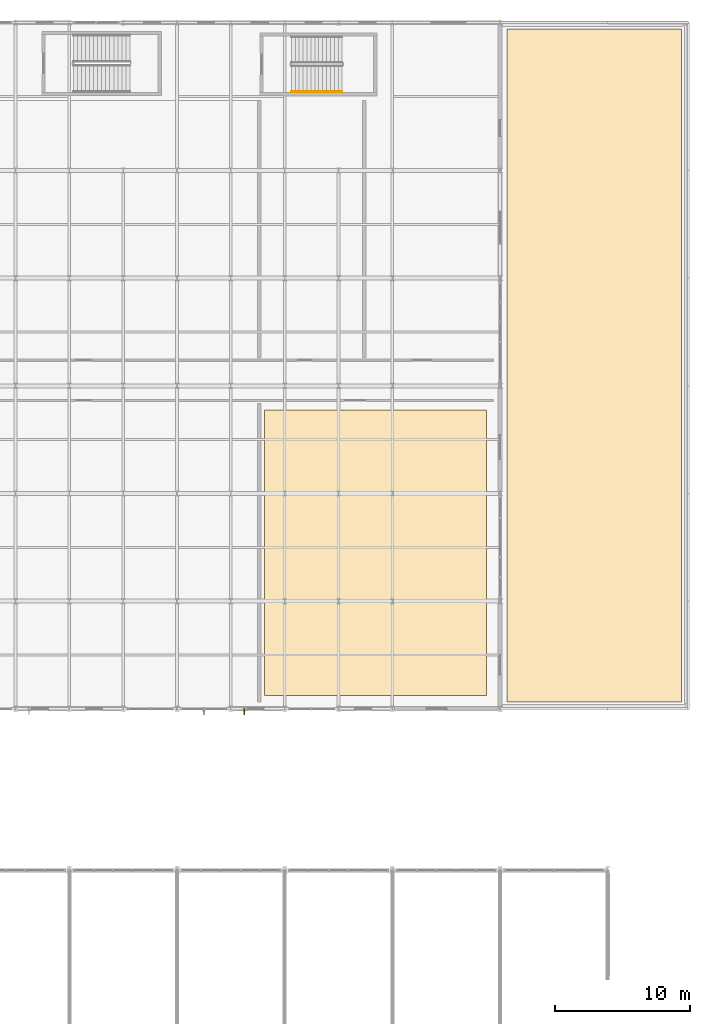
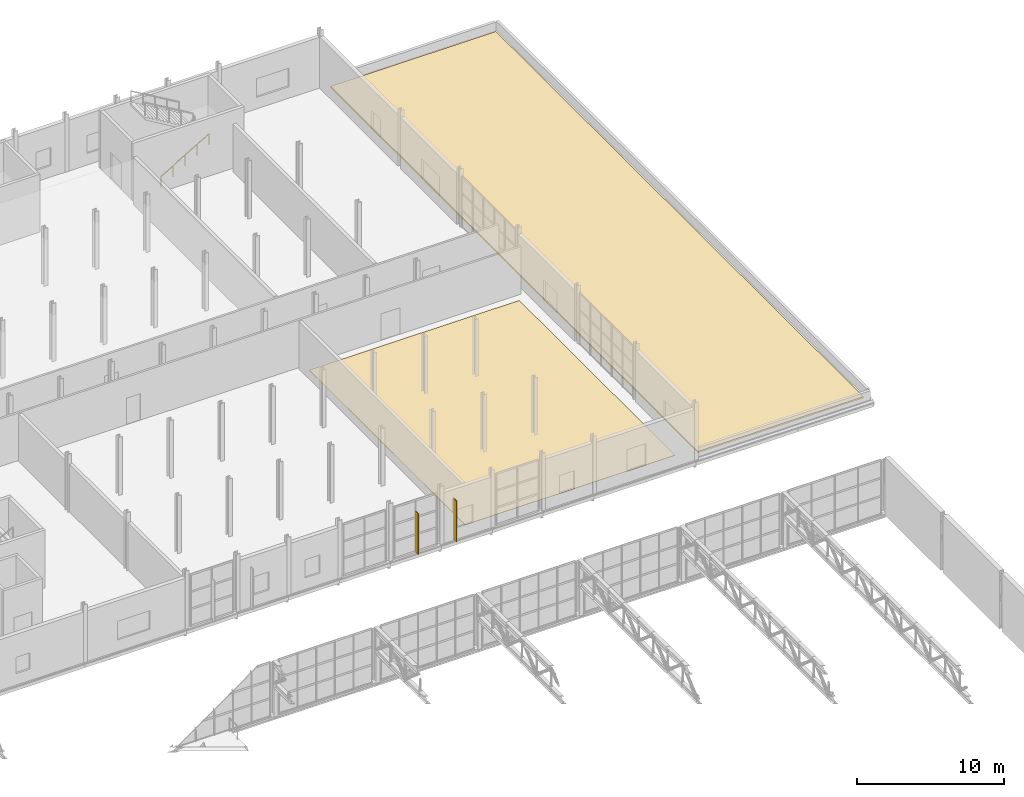
# One storey, part 142 of 143: 2 coverings, 2 shading devices, 1 railing.
"""IFC4 building model written with IfcOpenShell, lengths in metres."""

from ifc_helpers import new_model, si_unit, derived_unit, direction, frame, origin, origin_2d, place, context, subcontext, project, spatial, polyline, rectangle, circle, outline, extrude, material, layer, layer_set, type_object, element, save


model = new_model("IFC4")

# Units and contexts
model_context = context("Model", 3, precision=1e-05, world=origin(), true_north=direction((0.0, 1.0)))
body_context = subcontext(model_context, "Body", "Model", "MODEL_VIEW")
ifc_project = project(units=[si_unit("LENGTHUNIT", "METRE"), si_unit("AREAUNIT", "SQUARE_METRE"), si_unit("VOLUMEUNIT", "CUBIC_METRE"), si_unit("PLANEANGLEUNIT", "RADIAN"), si_unit("MASSUNIT", "GRAM", prefix="KILO"), derived_unit("THERMALTRANSMITTANCEUNIT", [(si_unit("POWERUNIT", "WATT"), 1), (si_unit("LENGTHUNIT", "METRE"), -2), (si_unit("THERMODYNAMICTEMPERATUREUNIT", "KELVIN"), -1)])], contexts=[model_context])

# Site, building, storey
site_placement = place(None, origin())
site = spatial("IfcSite", under=ifc_project, at=site_placement, CompositionType="ELEMENT")
building_placement = place(site_placement, origin())
building = spatial("IfcBuilding", under=site, at=building_placement, Name="Keldorne Ridge Multi-Sports Centre", CompositionType="ELEMENT")
storey_placement = place(building_placement, frame((0.0, 0.0, 4.800048828125)))
storey = spatial("IfcBuildingStorey", under=building, at=storey_placement, Name="L01", CompositionType="ELEMENT", Elevation=4.800048828125)

# Coverings
ifc_material_1 = material(Name="Recycled EPDM impact flooring")
ifc_layer_1 = layer(ifc_material_1, 0.02490234375)
ifc_layer_set_1 = layer_set([ifc_layer_1])
covering_type_1 = type_object("IfcCoveringType", Name="COV-FL-02", PredefinedType="FLOORING", material=ifc_layer_set_1)
covering_1_placement = place(storey_placement, origin())
element("IfcCovering", 1, at=covering_1_placement, inside=storey, type_object=covering_type_1, Name="Fitness Gymnasium impact flooring", PredefinedType="FLOORING", context=body_context, shape_type="SweptSolid", body=[
    extrude(outline(polyline([(142.5, 67.0), (159.0, 67.0), (159.0, 88.199951171875), (142.5, 88.199951171875), (142.5, 67.0)])), origin(), (0.0, 0.0, 1.0), 0.02490234375),
])
ifc_material_2 = material(Name="EPDM and sedum extensive green roof")
ifc_layer_2 = layer(ifc_material_2, 0.1201171875)
ifc_layer_set_2 = layer_set([ifc_layer_2])
covering_type_2 = type_object("IfcCoveringType", Name="COV-RF-02", PredefinedType="MEMBRANE", material=ifc_layer_set_2)
covering_2_placement = place(storey_placement, origin())
element("IfcCovering", 2, at=covering_2_placement, inside=storey, type_object=covering_type_2, Name="First floor loading bay green roof", PredefinedType="MEMBRANE", context=body_context, shape_type="SweptSolid", body=[
    extrude(outline(polyline([(160.5, 66.5), (173.5, 66.5), (173.5, 116.5), (160.5, 116.5), (160.5, 66.5)])), origin(), (0.0, 0.0, 1.0), 0.119873046875),
])

# Railing
ifc_material_3 = material(Name="Stainless steel", Category="steel")
railing_type = type_object("IfcRailingType", Name="RLG-HR-01", PredefinedType="HANDRAIL", material=ifc_material_3)
railing_placement = place(storey_placement, frame((144.5, 111.85009765625, 0.17138671875)))
element("IfcRailing", 3, at=railing_placement, inside=storey, type_object=railing_type, Name="L01 ST-03 stair handrail 1", PredefinedType="HANDRAIL", context=body_context, shape_type="SweptSolid", body=[
    extrude(circle(Radius=0.02392578125, at=origin_2d()), frame((0.0, 0.0, 0.8759765625), z_axis=(0.860848830602, 0.0, 0.508860777473), x_axis=(0.0, 1.0, 0.0)), (0.0, 0.0, 1.0), 4.37939453125),
    extrude(circle(Radius=0.02099609375, at=origin_2d()), origin(), (0.0, 0.0, 1.0), 0.851806640625),
    extrude(circle(Radius=0.02099609375, at=origin_2d()), frame((0.9423828125, 0.0, 0.55712890625)), (0.0, 0.0, 1.0), 0.851806640625),
    extrude(circle(Radius=0.02099609375, at=origin_2d()), frame((1.885009765625, 0.0, 1.1142578125)), (0.0, 0.0, 1.0), 0.851806640625),
    extrude(circle(Radius=0.02099609375, at=origin_2d()), frame((2.82763671875, 0.0, 1.67138671875)), (0.0, 0.0, 1.0), 0.851806640625),
    extrude(circle(Radius=0.02099609375, at=origin_2d()), frame((3.77001953125, 0.0, 2.228515625)), (0.0, 0.0, 1.0), 0.851806640625),
])

# Shading devices
ifc_material_4 = material(Name="Anodized aluminium", Category="aluminium")
shading_device_type = type_object("IfcShadingDeviceType", Name="SHD-SF-01", PredefinedType="SHUTTER", material=ifc_material_4)
for number, where, z_axis, x_axis, name in (
    (4, (138.0, 65.77490234375, 0.0), (0.0, 0.0, 1.0), (1.0, 0.0, 0.0), "Vertical solar shading fin SF-03"),
    (5, (141.0, 65.77490234375, 0.0), (0.0, 0.0, 1.0), (1.0, 0.0, 0.0), "Vertical solar shading fin SF-04"),
):
    element("IfcShadingDevice", number, at=place(storey_placement, frame(where, z_axis=z_axis, x_axis=x_axis)), inside=storey, type_object=shading_device_type, Name=name, PredefinedType="SHUTTER", context=body_context, shape_type="SweptSolid", body=[
        extrude(rectangle(XDim=0.06005859375, YDim=0.449951171875, at=origin_2d()), origin(), (0.0, 0.0, 1.0), 3.39990234375),
    ])

save(model, "model.ifc")
